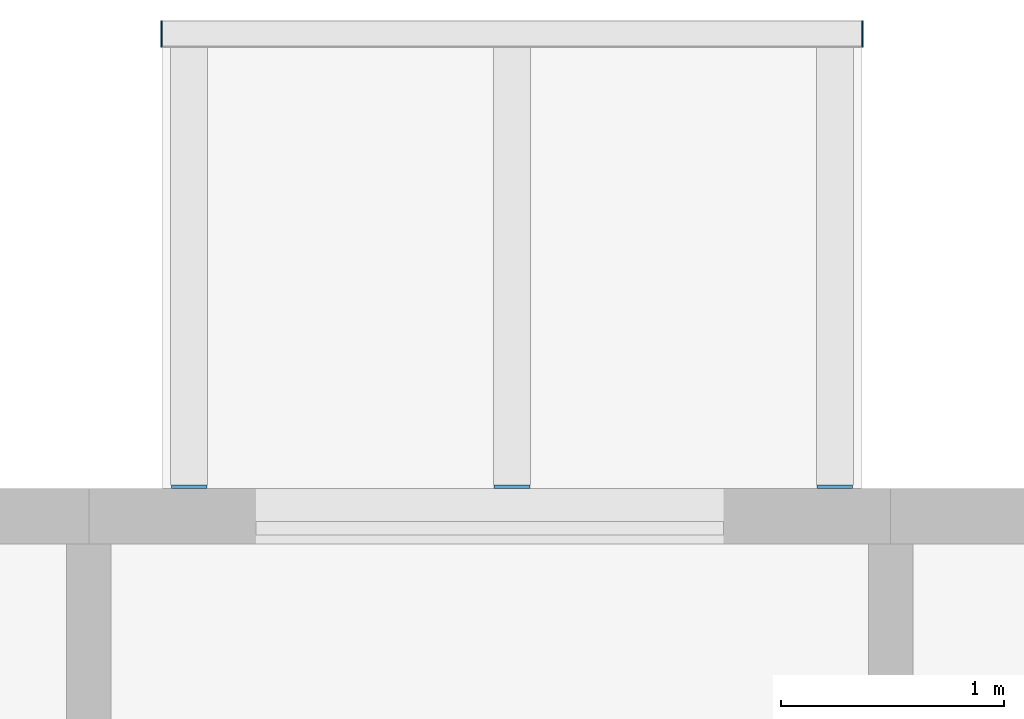
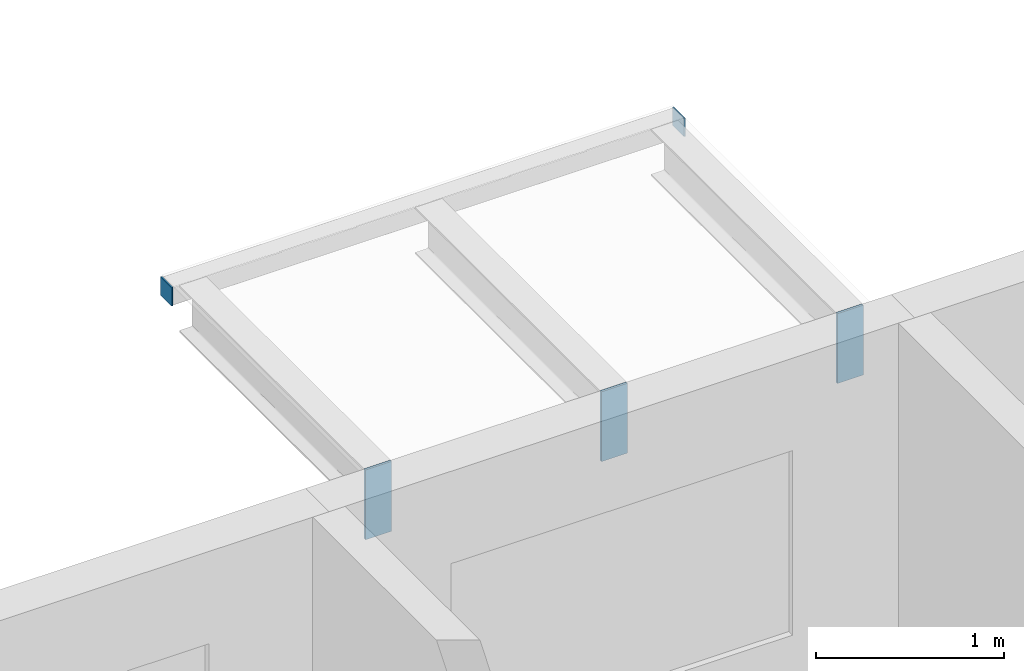
# One storey, part 82 of 115: 5 discrete accessories.
"""IFC4 building model written with IfcOpenShell, lengths in metres."""

from ifc_helpers import new_model, si_unit, direction, frame, origin, origin_2d, place, context, subcontext, project, spatial, rectangle, extrude, material, layer, layer_set, type_object, element, save


model = new_model("IFC4")

# Units and contexts
model_context = context("Model", 3, precision=1e-05, world=origin(), true_north=direction((0.0, 1.0)))
body_context = subcontext(model_context, "Body", "Model", "MODEL_VIEW")
ifc_project = project(units=[si_unit("LENGTHUNIT", "METRE"), si_unit("AREAUNIT", "SQUARE_METRE"), si_unit("VOLUMEUNIT", "CUBIC_METRE"), si_unit("PLANEANGLEUNIT", "RADIAN"), si_unit("MASSUNIT", "GRAM", prefix="KILO")], contexts=[model_context])

# Site, building, storey
site_placement = place(None, origin())
site = spatial("IfcSite", under=ifc_project, at=site_placement, CompositionType="ELEMENT")
building_placement = place(site_placement, origin())
building = spatial("IfcBuilding", under=site, at=building_placement, Name="Ridgestep Commons", CompositionType="ELEMENT")
storey_placement = place(building_placement, frame((0.0, 0.0, 6.0)))
storey = spatial("IfcBuildingStorey", under=building, at=storey_placement, Name="L02", CompositionType="ELEMENT", Elevation=6.0)

# Discrete accessories
ifc_material_1 = material(Name="Weathering steel S355J2W", Category="steel")
ifc_layer_1 = layer(ifc_material_1, 0.014892578125)
ifc_layer_set_1 = layer_set([ifc_layer_1], Name="Tray bracket plate 15")
discrete_accessory_type_1 = type_object("IfcDiscreteAccessoryType", Name="Tray bracket plate 15", PredefinedType="BRACKET", material=ifc_layer_set_1)
for number, where, z_axis, x_axis, name in (
    (1, (106.050048828125, 77.257568359375, 2.53662109375), (0.0, 0.0, 1.0), (1.0, 0.0, 0.0), "Tray bracket B6T2-03.1"),
    (2, (107.5, 77.257568359375, 2.53662109375), (0.0, 0.0, 1.0), (1.0, 0.0, 0.0), "Tray bracket B6T2-03.2"),
    (3, (108.949951171875, 77.257568359375, 2.53662109375), (0.0, 0.0, 1.0), (1.0, 0.0, 0.0), "Tray bracket B6T2-03.3"),
):
    element("IfcDiscreteAccessory", number, at=place(storey_placement, frame(where, z_axis=z_axis, x_axis=x_axis)), inside=storey, type_object=discrete_accessory_type_1, Name=name, PredefinedType="BRACKET", context=body_context, shape_type="SweptSolid", body=[
        extrude(rectangle(XDim=0.159912109375, YDim=0.014892578125, at=origin_2d()), origin(), (0.0, 0.0, 1.0), 0.453369140625),
    ])
ifc_material_2 = material(Name="Weathering steel S355J2W", Category="steel")
ifc_layer_2 = layer(ifc_material_2, 0.008056640625)
ifc_layer_set_2 = layer_set([ifc_layer_2], Name="Tray edge member end plate 120 x 120 x 8")
discrete_accessory_type_2 = type_object("IfcDiscreteAccessoryType", Name="Tray edge member end plate 120 x 120 x 8", PredefinedType="BRACKET", material=ifc_layer_set_2)
for number, where, z_axis, x_axis, name in (
    (4, (105.926025390625, 79.2900390625, 2.869873046875), (0.0, 0.0, 1.0), (1.0, 0.0, 0.0), "Tray edge member end plate B6T2-03 west"),
    (5, (109.073974609375, 79.2900390625, 2.869873046875), (0.0, 0.0, 1.0), (1.0, 0.0, 0.0), "Tray edge member end plate B6T2-03 east"),
):
    element("IfcDiscreteAccessory", number, at=place(storey_placement, frame(where, z_axis=z_axis, x_axis=x_axis)), inside=storey, type_object=discrete_accessory_type_2, Name=name, PredefinedType="BRACKET", context=body_context, shape_type="SweptSolid", body=[
        extrude(rectangle(XDim=0.008056640625, YDim=0.1201171875, at=origin_2d()), origin(), (0.0, 0.0, 1.0), 0.1201171875),
    ])

save(model, "model.ifc")
